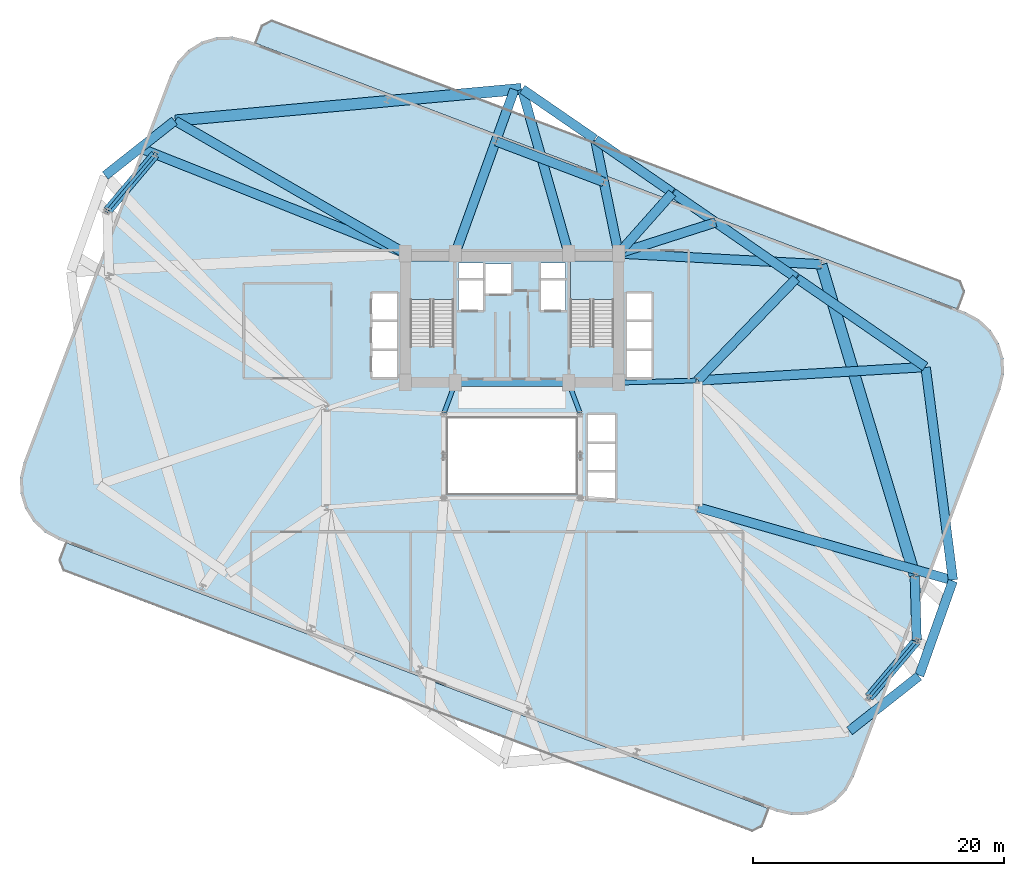
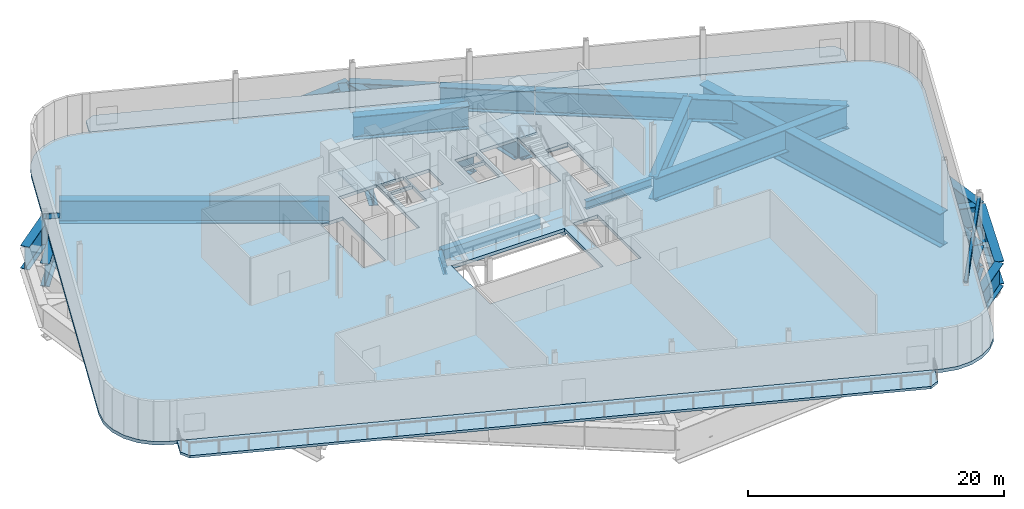
# One storey, part 2 of 11: 29 beams, 5 slabs, 2 members, 2 elements without a shape of their own.
"""IFC4 building model written with IfcOpenShell, lengths in metres."""

from ifc_helpers import new_model, si_unit, direction, frame, origin, origin_2d, place, context, subcontext, project, spatial, polyline, rectangle, hollow_rectangle, i_section, outline, extrude, material, layer, layer_set, material_profile, profile_set, type_object, element, aggregate, save


model = new_model("IFC4")

# Units and contexts
model_context = context("Model", 3, precision=1e-05, world=origin(), true_north=direction((0.0, 1.0)))
body_context = subcontext(model_context, "Body", "Model", "MODEL_VIEW")
ifc_project = project(units=[si_unit("LENGTHUNIT", "METRE"), si_unit("AREAUNIT", "SQUARE_METRE"), si_unit("VOLUMEUNIT", "CUBIC_METRE"), si_unit("PLANEANGLEUNIT", "RADIAN"), si_unit("MASSUNIT", "GRAM", prefix="KILO")], contexts=[model_context])

# Site, building, storey
site_placement = place(None, origin())
site = spatial("IfcSite", under=ifc_project, at=site_placement, CompositionType="ELEMENT")
building_placement = place(site_placement, origin())
building = spatial("IfcBuilding", under=site, at=building_placement, Name="Varnelok Gate Tower", CompositionType="ELEMENT")
storey_placement = place(building_placement, frame((0.0, 0.0, 71.39990234375)))
storey = spatial("IfcBuildingStorey", under=building, at=storey_placement, Name="L17", CompositionType="ELEMENT", Elevation=71.39990234375)

# Beams
ifc_material_1 = material(Name="Concrete C60/75", Category="concrete")
ifc_material_profile_1 = material_profile(ifc_material_1, rectangle(XDim=0.60009765625, YDim=0.949951171875, at=origin_2d()), Name="RC950X600")
ifc_profile_set_1 = profile_set([ifc_material_profile_1], Name="Concrete C60/75")
beam_type_1 = type_object("IfcBeamType", Name="BM-LNT-RC950", PredefinedType="LINTEL", material=ifc_profile_set_1)
beam_1_placement = place(storey_placement, frame((34.800048828125, 28.75, -0.794921875), z_axis=(1.0, 0.0, 0.0), x_axis=(0.0, 1.0, 0.0)))
element("IfcBeam", 1, at=beam_1_placement, inside=storey, type_object=beam_type_1, Name="L17 Core-Atrium Spine Beam 7", PredefinedType="LINTEL", context=body_context, shape_type="SweptSolid", body=[
    extrude(rectangle(XDim=0.60009765625, YDim=0.949951171875, at=origin_2d()), origin(), (0.0, 0.0, 1.0), 8.800048828125),
])
ifc_material_2 = material(Name="Structural Steel ASTM A992 Grade 50", Category="steel")
ifc_material_profile_2 = material_profile(ifc_material_2, i_section(OverallWidth=0.35498046875, OverallDepth=0.696044921875, WebThickness=0.015380859375, FlangeThickness=0.02490234375, FilletRadius=0.02001953125, at=origin_2d()), Name="W27X146")
ifc_profile_set_2 = profile_set([ifc_material_profile_2], Name="Structural Steel ASTM A992 Grade 50")
beam_type_2 = type_object("IfcBeamType", Name="BM-PRI-W27X146", PredefinedType="BEAM", material=ifc_profile_set_2)
for number, where, z_axis, x_axis, name in (
    (2, (33.791748046875, 26.362548828125, -0.66796875), (0.348719329408, 0.937227202602, 0.0), (-0.937227202602, 0.348719329408, 0.0), "L17 Core-Atrium Spine Beam 12"),
    (3, (44.608154296875, 26.362548828125, -0.66796875), (-0.348719329408, 0.937227202602, 0.0), (-0.937227202602, -0.348719329408, 0.0), "L17 Core-Atrium Spine Beam 13"),
):
    element("IfcBeam", number, at=place(storey_placement, frame(where, z_axis=z_axis, x_axis=x_axis)), inside=storey, type_object=beam_type_2, Name=name, PredefinedType="BEAM", context=body_context, shape_type="SweptSolid", body=[
        extrude(i_section(OverallWidth=0.35498046875, OverallDepth=0.696044921875, WebThickness=0.015380859375, FlangeThickness=0.02490234375, FilletRadius=0.02001953125, at=origin_2d()), origin(), (0.0, 0.0, 1.0), 2.42724609375),
    ])
ifc_material_profile_3 = material_profile(ifc_material_2, i_section(OverallWidth=0.381103515625, OverallDepth=0.77294921875, WebThickness=0.0166015625, FlangeThickness=0.027099609375, FilletRadius=0.02197265625, at=origin_2d()), Name="W30X173")
ifc_profile_set_3 = profile_set([ifc_material_profile_3], Name="Structural Steel ASTM A992 Grade 50")
beam_type_3 = type_object("IfcBeamType", Name="BM-PRI-W30X173", PredefinedType="BEAM", material=ifc_profile_set_3)
beam_2_placement = place(storey_placement, frame((47.820068359375, 28.753173828125, -0.706298828125), z_axis=(0.999635880609, 0.026983443053, 0.0), x_axis=(-0.026983443053, 0.999635880609, 0.0)))
element("IfcBeam", 4, at=beam_2_placement, inside=storey, type_object=beam_type_3, Name="L17 Core-Atrium Spine Beam 19", PredefinedType="BEAM", context=body_context, shape_type="SweptSolid", body=[
    extrude(i_section(OverallWidth=0.381103515625, OverallDepth=0.77294921875, WebThickness=0.0166015625, FlangeThickness=0.027099609375, FilletRadius=0.02197265625, at=origin_2d()), origin(), (0.0, 0.0, 1.0), 6.06201171875),
])
ifc_material_3 = material(Name="Structural Steel ASTM A572 Grade 50", Category="steel")
ifc_material_profile_4 = material_profile(ifc_material_3, i_section(OverallWidth=0.75, OverallDepth=2.199951171875, WebThickness=0.031982421875, FlangeThickness=0.06005859375, FilletRadius=0.028076171875, at=origin_2d()), Name="PG2200X750")
ifc_profile_set_4 = profile_set([ifc_material_profile_4], Name="Structural Steel ASTM A572 Grade 50")
beam_type_4 = type_object("IfcBeamType", Name="BM-TR-PG2200", PredefinedType="BEAM", material=ifc_profile_set_4)
beam_3_placement = place(storey_placement, frame((66.1162109375, 0.977294921875, -1.419921875), z_axis=(0.784847238255, 0.619689287146, 0.0), x_axis=(-0.619689287146, 0.784847238255, 0.0)))
element("IfcBeam", 5, at=beam_3_placement, inside=storey, type_object=beam_type_4, Name="L17 Transfer Support Ring Girder 6", PredefinedType="BEAM", context=body_context, shape_type="SweptSolid", body=[
    extrude(i_section(OverallWidth=0.75, OverallDepth=2.199951171875, WebThickness=0.031982421875, FlangeThickness=0.06005859375, FilletRadius=0.028076171875, at=origin_2d()), origin(), (0.0, 0.0, 1.0), 7.036376953125),
])
beam_4_placement = place(storey_placement, frame((71.683349609375, 5.400146484375, -1.419921875), z_axis=(0.333885004732, 0.942613814675, 0.0), x_axis=(-0.942613814675, 0.333885004732, 0.0)))
element("IfcBeam", 6, at=beam_4_placement, inside=storey, type_object=beam_type_4, Name="L17 Transfer Support Ring Girder 7", PredefinedType="BEAM", context=body_context, shape_type="SweptSolid", body=[
    extrude(i_section(OverallWidth=0.75, OverallDepth=2.199951171875, WebThickness=0.031982421875, FlangeThickness=0.06005859375, FilletRadius=0.028076171875, at=origin_2d()), origin(), (0.0, 0.0, 1.0), 7.997314453125),
])
beam_5_placement = place(storey_placement, frame((74.36181640625, 13.015869140625, -1.419921875), z_axis=(-0.127114555731, 0.991888042937, 0.0), x_axis=(-0.991888042937, -0.127114555731, 0.0)))
element("IfcBeam", 7, at=beam_5_placement, inside=storey, type_object=beam_type_4, Name="L17 Transfer Support Ring Girder 8", PredefinedType="BEAM", context=body_context, shape_type="SweptSolid", body=[
    extrude(i_section(OverallWidth=0.75, OverallDepth=2.199951171875, WebThickness=0.031982421875, FlangeThickness=0.06005859375, FilletRadius=0.028076171875, at=origin_2d()), origin(), (0.0, 0.0, 1.0), 17.080322265625),
])
beam_6_placement = place(storey_placement, frame((72.152587890625, 30.02001953125, -1.419921875), z_axis=(-0.823535150293, 0.567265243279, 0.0), x_axis=(-0.567265243279, -0.823535150293, 0.0)))
element("IfcBeam", 8, at=beam_6_placement, inside=storey, type_object=beam_type_4, Name="L17 Transfer Support Ring Girder 9", PredefinedType="BEAM", context=body_context, shape_type="SweptSolid", body=[
    extrude(i_section(OverallWidth=0.75, OverallDepth=2.199951171875, WebThickness=0.031982421875, FlangeThickness=0.06005859375, FilletRadius=0.028076171875, at=origin_2d()), origin(), (0.0, 0.0, 1.0), 12.419921875),
])
beam_7_placement = place(storey_placement, frame((61.8583984375, 37.11083984375, -1.419921875), z_axis=(-0.823531840328, 0.567270048536, 0.0), x_axis=(-0.567270048536, -0.823531840328, 0.0)))
element("IfcBeam", 9, at=beam_7_placement, inside=storey, type_object=beam_type_4, Name="L17 Transfer Support Ring Girder 10", PredefinedType="BEAM", context=body_context, shape_type="SweptSolid", body=[
    extrude(i_section(OverallWidth=0.75, OverallDepth=2.199951171875, WebThickness=0.031982421875, FlangeThickness=0.06005859375, FilletRadius=0.028076171875, at=origin_2d()), origin(), (0.0, 0.0, 1.0), 11.920166015625),
])
beam_8_placement = place(storey_placement, frame((51.97607421875, 43.918212890625, -1.419921875), z_axis=(-0.823552004873, 0.567240773632, 0.0), x_axis=(-0.567240773632, -0.823552004873, 0.0)))
element("IfcBeam", 10, at=beam_8_placement, inside=storey, type_object=beam_type_4, Name="L17 Transfer Support Ring Girder 11", PredefinedType="BEAM", context=body_context, shape_type="SweptSolid", body=[
    extrude(i_section(OverallWidth=0.75, OverallDepth=2.199951171875, WebThickness=0.031982421875, FlangeThickness=0.06005859375, FilletRadius=0.028076171875, at=origin_2d()), origin(), (0.0, 0.0, 1.0), 7.420166015625),
])
beam_9_placement = place(storey_placement, frame((45.799560546875, 48.172607421875, -1.419921875), z_axis=(-0.823538289524, 0.567260685829, 0.0), x_axis=(-0.567260685829, -0.823538289524, 0.0)))
element("IfcBeam", 11, at=beam_9_placement, inside=storey, type_object=beam_type_4, Name="L17 Transfer Support Ring Girder 12", PredefinedType="BEAM", context=body_context, shape_type="SweptSolid", body=[
    extrude(i_section(OverallWidth=0.75, OverallDepth=2.199951171875, WebThickness=0.031982421875, FlangeThickness=0.06005859375, FilletRadius=0.028076171875, at=origin_2d()), origin(), (0.0, 0.0, 1.0), 7.02001953125),
])
beam_10_placement = place(storey_placement, frame((12.28369140625, 49.62255859375, -1.419921875), z_axis=(-0.78483391353, -0.619706162768, 0.0), x_axis=(0.619706162768, -0.78483391353, 0.0)))
element("IfcBeam", 12, at=beam_10_placement, inside=storey, type_object=beam_type_4, Name="L17 Transfer Support Ring Girder 14", PredefinedType="BEAM", context=body_context, shape_type="SweptSolid", body=[
    extrude(i_section(OverallWidth=0.75, OverallDepth=2.199951171875, WebThickness=0.031982421875, FlangeThickness=0.06005859375, FilletRadius=0.028076171875, at=origin_2d()), origin(), (0.0, 0.0, 1.0), 7.0361328125),
])
beam_11_placement = place(storey_placement, frame((54.03857421875, 18.7890625, -1.419921875), z_axis=(0.961465425959, -0.274925871256, 0.0), x_axis=(0.274925871256, 0.961465425959, 0.0)))
element("IfcBeam", 13, at=beam_11_placement, inside=storey, type_object=beam_type_4, Name="L17 Radial Transfer Main Girder 8", PredefinedType="BEAM", context=body_context, shape_type="SweptSolid", body=[
    extrude(i_section(OverallWidth=0.75, OverallDepth=2.199951171875, WebThickness=0.031982421875, FlangeThickness=0.06005859375, FilletRadius=0.028076171875, at=origin_2d()), origin(), (0.0, 0.0, 1.0), 21.10302734375),
])
beam_12_placement = place(storey_placement, frame((54.039794921875, 28.92236328125, -1.419921875), z_axis=(0.998250152636, 0.059132332635, 0.0), x_axis=(-0.059132332635, 0.998250152636, 0.0)))
element("IfcBeam", 14, at=beam_12_placement, inside=storey, type_object=beam_type_4, Name="L17 Radial Transfer Main Girder 9", PredefinedType="BEAM", context=body_context, shape_type="SweptSolid", body=[
    extrude(i_section(OverallWidth=0.75, OverallDepth=2.199951171875, WebThickness=0.031982421875, FlangeThickness=0.06005859375, FilletRadius=0.028076171875, at=origin_2d()), origin(), (0.0, 0.0, 1.0), 18.137451171875),
])
beam_13_placement = place(storey_placement, frame((54.02783203125, 28.94873046875, -1.419921875), z_axis=(0.694813539229, 0.71918992325, 0.0), x_axis=(-0.71918992325, 0.694813539229, 0.0)))
element("IfcBeam", 15, at=beam_13_placement, inside=storey, type_object=beam_type_4, Name="L17 Radial Transfer Main Girder 10", PredefinedType="BEAM", context=body_context, shape_type="SweptSolid", body=[
    extrude(i_section(OverallWidth=0.75, OverallDepth=2.199951171875, WebThickness=0.031982421875, FlangeThickness=0.06005859375, FilletRadius=0.028076171875, at=origin_2d()), origin(), (0.0, 0.0, 1.0), 11.27734375),
])
beam_14_placement = place(storey_placement, frame((47.7265625, 39.079833984375, -1.419921875), z_axis=(0.664534185291, 0.74725786485, 0.0), x_axis=(-0.74725786485, 0.664534185291, 0.0)))
element("IfcBeam", 16, at=beam_14_placement, inside=storey, type_object=beam_type_4, Name="L17 Radial Transfer Main Girder 11", PredefinedType="BEAM", context=body_context, shape_type="SweptSolid", body=[
    extrude(i_section(OverallWidth=0.75, OverallDepth=2.199951171875, WebThickness=0.031982421875, FlangeThickness=0.06005859375, FilletRadius=0.028076171875, at=origin_2d()), origin(), (0.0, 0.0, 1.0), 6.404296875),
])
beam_15_placement = place(storey_placement, frame((47.69189453125, 39.089111328125, -1.419921875), z_axis=(-0.201048508296, 0.97958128673, 0.0), x_axis=(-0.97958128673, -0.201048508296, 0.0)))
element("IfcBeam", 17, at=beam_15_placement, inside=storey, type_object=beam_type_4, Name="L17 Radial Transfer Main Girder 12", PredefinedType="BEAM", context=body_context, shape_type="SweptSolid", body=[
    extrude(i_section(OverallWidth=0.75, OverallDepth=2.199951171875, WebThickness=0.031982421875, FlangeThickness=0.06005859375, FilletRadius=0.028076171875, at=origin_2d()), origin(), (0.0, 0.0, 1.0), 9.20947265625),
])
beam_16_placement = place(storey_placement, frame((43.708984375, 39.08837890625, -1.419921875), z_axis=(-0.273625390136, 0.961836340483, 0.0), x_axis=(-0.961836340483, -0.273625390136, 0.0)))
element("IfcBeam", 18, at=beam_16_placement, inside=storey, type_object=beam_type_4, Name="L17 Radial Transfer Main Girder 13", PredefinedType="BEAM", context=body_context, shape_type="SweptSolid", body=[
    extrude(i_section(OverallWidth=0.75, OverallDepth=2.199951171875, WebThickness=0.031982421875, FlangeThickness=0.06005859375, FilletRadius=0.028076171875, at=origin_2d()), origin(), (0.0, 0.0, 1.0), 13.568359375),
])
beam_17_placement = place(storey_placement, frame((30.665283203125, 39.070068359375, -1.419921875), z_axis=(-0.866374326175, 0.499395161114, 0.0), x_axis=(-0.499395161114, -0.866374326175, 0.0)))
element("IfcBeam", 19, at=beam_17_placement, inside=storey, type_object=beam_type_4, Name="L17 Radial Transfer Main Girder 14", PredefinedType="BEAM", context=body_context, shape_type="SweptSolid", body=[
    extrude(i_section(OverallWidth=0.75, OverallDepth=2.199951171875, WebThickness=0.031982421875, FlangeThickness=0.06005859375, FilletRadius=0.028076171875, at=origin_2d()), origin(), (0.0, 0.0, 1.0), 21.140380859375),
])
beam_18_placement = place(storey_placement, frame((47.7998046875, 39.044677734375, -1.419921875), z_axis=(0.99856636505, -0.053527699279, 0.0), x_axis=(0.053527699279, 0.99856636505, 0.0)))
element("IfcBeam", 20, at=beam_18_placement, inside=storey, type_object=beam_type_4, Name="L17 Column Transfer Carrier Girder 9", PredefinedType="BEAM", context=body_context, shape_type="SweptSolid", body=[
    extrude(i_section(OverallWidth=0.75, OverallDepth=2.199951171875, WebThickness=0.031982421875, FlangeThickness=0.06005859375, FilletRadius=0.028076171875, at=origin_2d()), origin(), (0.0, 0.0, 1.0), 16.08203125),
])
beam_19_placement = place(storey_placement, frame((47.795166015625, 39.08056640625, -1.419921875), z_axis=(0.952199293423, 0.305477504253, 0.0), x_axis=(-0.305477504253, 0.952199293423, 0.0)))
element("IfcBeam", 21, at=beam_19_placement, inside=storey, type_object=beam_type_4, Name="L17 Column Transfer Carrier Girder 10", PredefinedType="BEAM", context=body_context, shape_type="SweptSolid", body=[
    extrude(i_section(OverallWidth=0.75, OverallDepth=2.199951171875, WebThickness=0.031982421875, FlangeThickness=0.06005859375, FilletRadius=0.028076171875, at=origin_2d()), origin(), (0.0, 0.0, 1.0), 8.02734375),
])
beam_20_placement = place(storey_placement, frame((34.7138671875, 39.14404296875, -1.419921875), z_axis=(0.338845431703, 0.940842055509, 0.0), x_axis=(-0.940842055509, 0.338845431703, 0.0)))
element("IfcBeam", 22, at=beam_20_placement, inside=storey, type_object=beam_type_4, Name="L17 Column Transfer Carrier Girder 12", PredefinedType="BEAM", context=body_context, shape_type="SweptSolid", body=[
    extrude(i_section(OverallWidth=0.75, OverallDepth=2.199951171875, WebThickness=0.031982421875, FlangeThickness=0.06005859375, FilletRadius=0.028076171875, at=origin_2d()), origin(), (0.0, 0.0, 1.0), 13.794921875),
])
beam_21_placement = place(storey_placement, frame((30.607177734375, 39.0869140625, -1.419921875), z_axis=(-0.92931441749, 0.369289471072, 0.0), x_axis=(-0.369289471072, -0.92931441749, 0.0)))
element("IfcBeam", 23, at=beam_21_placement, inside=storey, type_object=beam_type_4, Name="L17 Column Transfer Carrier Girder 14", PredefinedType="BEAM", context=body_context, shape_type="SweptSolid", body=[
    extrude(i_section(OverallWidth=0.75, OverallDepth=2.199951171875, WebThickness=0.031982421875, FlangeThickness=0.06005859375, FilletRadius=0.028076171875, at=origin_2d()), origin(), (0.0, 0.0, 1.0), 22.66748046875),
])
beam_22_placement = place(storey_placement, frame((67.66259765625, 3.658203125, -1.419921875), z_axis=(0.645349138464, 0.763887746651, 0.0), x_axis=(-0.763887746651, 0.645349138464, 0.0)))
element("IfcBeam", 24, at=beam_22_placement, inside=storey, type_object=beam_type_4, Name="L17 Upper Perimeter Transfer Ring 6", PredefinedType="BEAM", context=body_context, shape_type="SweptSolid", body=[
    extrude(i_section(OverallWidth=0.75, OverallDepth=2.199951171875, WebThickness=0.031982421875, FlangeThickness=0.06005859375, FilletRadius=0.028076171875, at=origin_2d()), origin(), (0.0, 0.0, 1.0), 5.869873046875),
])
beam_23_placement = place(storey_placement, frame((71.475341796875, 8.212646484375, -1.419921875), z_axis=(-0.030376021741, 0.99953854218, 0.0), x_axis=(-0.99953854218, -0.030376021741, 0.0)))
element("IfcBeam", 25, at=beam_23_placement, inside=storey, type_object=beam_type_4, Name="L17 Upper Perimeter Transfer Ring 7", PredefinedType="BEAM", context=body_context, shape_type="SweptSolid", body=[
    extrude(i_section(OverallWidth=0.75, OverallDepth=2.199951171875, WebThickness=0.031982421875, FlangeThickness=0.06005859375, FilletRadius=0.028076171875, at=origin_2d()), origin(), (0.0, 0.0, 1.0), 5.103759765625),
])
beam_24_placement = place(storey_placement, frame((46.52001953125, 44.748046875, -1.419921875), z_axis=(-0.935218362021, 0.354071483375, 0.0), x_axis=(-0.354071483375, -0.935218362021, 0.0)))
element("IfcBeam", 26, at=beam_24_placement, inside=storey, type_object=beam_type_4, Name="L17 Upper Perimeter Transfer Ring 11", PredefinedType="BEAM", context=body_context, shape_type="SweptSolid", body=[
    extrude(i_section(OverallWidth=0.75, OverallDepth=2.199951171875, WebThickness=0.031982421875, FlangeThickness=0.06005859375, FilletRadius=0.028076171875, at=origin_2d()), origin(), (0.0, 0.0, 1.0), 9.169921875),
])
beam_25_placement = place(storey_placement, frame((10.737548828125, 46.941650390625, -1.419921875), z_axis=(-0.645393911846, -0.763849918866, 0.0), x_axis=(0.763849918866, -0.645393911846, 0.0)))
element("IfcBeam", 27, at=beam_25_placement, inside=storey, type_object=beam_type_4, Name="L17 Upper Perimeter Transfer Ring 14", PredefinedType="BEAM", context=body_context, shape_type="SweptSolid", body=[
    extrude(i_section(OverallWidth=0.75, OverallDepth=2.199951171875, WebThickness=0.031982421875, FlangeThickness=0.06005859375, FilletRadius=0.028076171875, at=origin_2d()), origin(), (0.0, 0.0, 1.0), 5.869873046875),
])
ifc_material_profile_5 = material_profile(ifc_material_3, i_section(OverallWidth=0.89990234375, OverallDepth=3.199951171875, WebThickness=0.0400390625, FlangeThickness=0.074951171875, FilletRadius=0.030029296875, at=origin_2d()), Name="PG3200X900")
ifc_profile_set_5 = profile_set([ifc_material_profile_5], Name="Structural Steel ASTM A572 Grade 50")
beam_type_5 = type_object("IfcBeamType", Name="BM-TR-PG3200", PredefinedType="BEAM", material=ifc_profile_set_5)
beam_26_placement = place(storey_placement, frame((39.945556640625, 52.173828125, -1.919921875), z_axis=(-0.995845179363, -0.09106249908, 0.0), x_axis=(0.09106249908, -0.995845179363, 0.0)))
element("IfcBeam", 28, at=beam_26_placement, inside=storey, type_object=beam_type_5, Name="L17 Transfer Support Ring Girder 13", PredefinedType="BEAM", context=body_context, shape_type="SweptSolid", body=[
    extrude(i_section(OverallWidth=0.89990234375, OverallDepth=3.199951171875, WebThickness=0.0400390625, FlangeThickness=0.074951171875, FilletRadius=0.030029296875, at=origin_2d()), origin(), (0.0, 0.0, 1.0), 27.70556640625),
])
beam_27_placement = place(storey_placement, frame((71.3076171875, 13.392333984375, -1.919921875), z_axis=(-0.287740428783, 0.957708434569, 0.0), x_axis=(-0.957708434569, -0.287740428783, 0.0)))
element("IfcBeam", 29, at=beam_27_placement, inside=storey, type_object=beam_type_5, Name="L17 Upper Perimeter Transfer Ring 8", PredefinedType="BEAM", context=body_context, shape_type="SweptSolid", body=[
    extrude(i_section(OverallWidth=0.89990234375, OverallDepth=3.199951171875, WebThickness=0.0400390625, FlangeThickness=0.074951171875, FilletRadius=0.030029296875, at=origin_2d()), origin(), (0.0, 0.0, 1.0), 25.84619140625),
])

# Members
ifc_material_4 = material(Name="Structural Steel ASTM A500 Grade C", Category="steel")
ifc_material_profile_6 = material_profile(ifc_material_4, hollow_rectangle(XDim=0.25, YDim=0.39990234375, WallThickness=0.01611328125, at=origin_2d()), Name="HSS400X250X16")
ifc_profile_set_6 = profile_set([ifc_material_profile_6], Name="Structural Steel ASTM A500 Grade C")
member_type = type_object("IfcMemberType", Name="MEM-BLT-BRACE1", PredefinedType="BRACE", material=ifc_profile_set_6)
for number, where, z_axis, x_axis, name in (
    (30, (67.63671875, 3.627685546875, 0.2001953125), (0.535585700003, 0.633930785304, 0.557924472842), (-0.763871674835, 0.645368161893, 0.0), "L17 Belt Truss Diagonal Brace 1"),
    (31, (10.76318359375, 46.972412109375, 0.2001953125), (-0.535585700003, -0.633930785304, 0.557924472842), (0.763871674835, -0.645368161893, 0.0), "L17 Belt Truss Diagonal Brace 2"),
):
    element("IfcMember", number, at=place(storey_placement, frame(where, z_axis=z_axis, x_axis=x_axis)), inside=storey, type_object=member_type, Name=name, PredefinedType="BRACE", context=body_context, shape_type="SweptSolid", body=[
        extrude(hollow_rectangle(XDim=0.25, YDim=0.39990234375, WallThickness=0.01611328125, at=origin_2d()), origin(), (0.0, 0.0, 1.0), 7.16943359375),
    ])

# Stair, slab
ifc_material_5 = material(Name="Concrete C50/60", Category="concrete")
stair_type = type_object("IfcStairType", Name="STR-CORE-1650", PredefinedType="HALF_TURN_STAIR", material=ifc_material_5)
stair_1_placement = place(storey_placement, origin())
stair_1 = element("IfcStair", 32, at=stair_1_placement, inside=storey, type_object=stair_type, Name="L17 Exit Stair ST-1", PredefinedType="HALF_TURN_STAIR")
ifc_material_6 = material(Name="Concrete C45/55", Category="concrete")
ifc_layer_1 = layer(ifc_material_6, 0.199951171875)
ifc_layer_set_1 = layer_set([ifc_layer_1], Name="Concrete C45/55")
slab_type_1 = type_object("IfcSlabType", Name="SLB-LAND-200", PredefinedType="LANDING", material=ifc_layer_set_1)
slab_1_placement = place(storey_placement, frame((0.0, 0.0, 2.2001953125)))
slab_1 = element("IfcSlab", 33, at=slab_1_placement, type_object=slab_type_1, Name="ST-1 landing 1", PredefinedType="LANDING", context=body_context, shape_type="SweptSolid", body=[
    extrude(outline(polyline([(34.550048828125, 35.3701171875), (34.550048828125, 38.449951171875), (31.10009765625, 38.449951171875), (31.10009765625, 35.3701171875), (34.550048828125, 35.3701171875)])), origin(), (0.0, 0.0, 1.0), 0.199951171875),
])
aggregate(stair_1, [slab_1])

stair_2_placement = place(storey_placement, origin())
stair_2 = element("IfcStair", 34, at=stair_2_placement, inside=storey, type_object=stair_type, Name="L17 Exit Stair ST-2", PredefinedType="HALF_TURN_STAIR")
slab_2_placement = place(storey_placement, frame((0.0, 0.0, 2.2001953125)))
slab_2 = element("IfcSlab", 35, at=slab_2_placement, type_object=slab_type_1, Name="ST-2 landing 1", PredefinedType="LANDING", context=body_context, shape_type="SweptSolid", body=[
    extrude(outline(polyline([(47.300048828125, 35.3701171875), (47.300048828125, 38.449951171875), (43.85009765625, 38.449951171875), (43.85009765625, 35.3701171875), (47.300048828125, 35.3701171875)])), origin(), (0.0, 0.0, 1.0), 0.199951171875),
])
aggregate(stair_2, [slab_2])

# Slabs
ifc_layer_2 = layer(ifc_material_6, 0.22998046875)
ifc_layer_set_2 = layer_set([ifc_layer_2], Name="Concrete C45/55")
slab_type_2 = type_object("IfcSlabType", Name="SLB-SKYG-230", PredefinedType="FLOOR", material=ifc_layer_set_2)
slab_3_placement = place(storey_placement, frame((0.0, 0.0, -0.22998046875)))
element("IfcSlab", 36, at=slab_3_placement, inside=storey, type_object=slab_type_2, Name="L17 South Planted Sky Garden Terrace", PredefinedType="FLOOR", context=body_context, shape_type="SweptSolid", body=[
    extrude(outline(polyline([(3.052978515625, 14.552001953125), (3.430908203125, 13.714111328125), (58.328369140625, -7.0693359375), (59.166259765625, -6.691650390625), (59.715087890625, -5.2421875), (3.601806640625, 16.001708984375), (3.052978515625, 14.552001953125)])), origin(), (0.0, 0.0, 1.0), 0.22998046875),
])
slab_4_placement = place(storey_placement, frame((0.0, 0.0, -0.22998046875)))
element("IfcSlab", 37, at=slab_4_placement, inside=storey, type_object=slab_type_2, Name="L17 North Planted Sky Garden Terrace", PredefinedType="FLOOR", context=body_context, shape_type="SweptSolid", body=[
    extrude(outline(polyline([(18.684814453125, 55.842041015625), (74.798095703125, 34.598388671875), (75.346923828125, 36.0478515625), (74.96923828125, 36.885986328125), (20.07177734375, 57.66943359375), (19.233642578125, 57.291748046875), (18.684814453125, 55.842041015625)])), origin(), (0.0, 0.0, 1.0), 0.22998046875),
])
ifc_layer_3 = layer(ifc_material_1, 0.320068359375)
ifc_layer_set_3 = layer_set([ifc_layer_3], Name="Concrete C60/75")
slab_type_3 = type_object("IfcSlabType", Name="SLB-TRN-320", PredefinedType="FLOOR", material=ifc_layer_set_3)
slab_5_placement = place(storey_placement, frame((0.0, 0.0, -0.31982421875)))
element("IfcSlab", 38, at=slab_5_placement, inside=storey, type_object=slab_type_3, Name="L17 Structural Floor Slab", PredefinedType="FLOOR", context=body_context, shape_type="SweptSolid", body=[
    extrude(outline(polyline([(0.251220703125, 22.402587890625), (-0.03564453125, 21.182861328125), (0.002685546875, 19.930419921875), (0.3642578125, 18.730712890625), (1.023681640625, 17.665283203125), (1.936767578125, 16.806884765625), (3.040771484375, 16.214111328125), (60.2763671875, -5.45458984375), (61.49609375, -5.741455078125), (62.74853515625, -5.702880859375), (63.9482421875, -5.34130859375), (65.013671875, -4.681884765625), (65.8720703125, -3.768798828125), (66.46484375, -2.6650390625), (78.14892578125, 28.197265625), (78.435791015625, 29.4169921875), (78.397216796875, 30.669677734375), (78.035888671875, 31.869384765625), (77.376220703125, 32.934814453125), (76.463134765625, 33.793212890625), (75.359375, 34.385986328125), (18.123779296875, 56.054443359375), (16.904052734375, 56.34130859375), (15.651611328125, 56.302734375), (14.45166015625, 55.94140625), (13.386474609375, 55.28173828125), (12.528076171875, 54.368896484375), (11.935302734375, 53.264892578125), (0.251220703125, 22.402587890625)]), holes=[polyline([(34.550048828125, 31.679931640625), (34.550048828125, 38.449951171875), (31.10009765625, 38.449951171875), (31.10009765625, 31.679931640625), (34.550048828125, 31.679931640625)]), polyline([(47.300048828125, 31.679931640625), (47.300048828125, 38.449951171875), (43.85009765625, 38.449951171875), (43.85009765625, 31.679931640625), (47.300048828125, 31.679931640625)]), polyline([(34.949951171875, 34.550048828125), (36.89990234375, 34.550048828125), (36.89990234375, 36.89990234375), (34.949951171875, 36.89990234375), (34.949951171875, 34.550048828125)]), polyline([(41.5, 34.550048828125), (43.449951171875, 34.550048828125), (43.449951171875, 36.89990234375), (41.5, 36.89990234375), (41.5, 34.550048828125)]), polyline([(37.050048828125, 35.85009765625), (39.14990234375, 35.85009765625), (39.14990234375, 38.199951171875), (37.050048828125, 38.199951171875), (37.050048828125, 35.85009765625)]), polyline([(28.050048828125, 29.14990234375), (30.050048828125, 29.14990234375), (30.050048828125, 35.89990234375), (28.050048828125, 35.89990234375), (28.050048828125, 29.14990234375)]), polyline([(48.35009765625, 29.14990234375), (50.35009765625, 29.14990234375), (50.35009765625, 35.89990234375), (48.35009765625, 35.89990234375), (48.35009765625, 29.14990234375)]), polyline([(45.25, 19.449951171875), (47.449951171875, 19.449951171875), (47.449951171875, 26.199951171875), (45.25, 26.199951171875), (45.25, 19.449951171875)]), polyline([(34.919921875, 37.080078125), (36.89990234375, 37.080078125), (36.89990234375, 38.280029296875), (34.919921875, 38.280029296875), (34.919921875, 37.080078125)]), polyline([(41.5, 37.080078125), (43.47998046875, 37.080078125), (43.47998046875, 38.280029296875), (41.5, 38.280029296875), (41.5, 37.080078125)]), polyline([(34.10009765625, 19.89990234375), (44.300048828125, 19.89990234375), (44.300048828125, 25.89990234375), (34.10009765625, 25.89990234375), (34.10009765625, 19.89990234375)])]), origin(), (0.0, 0.0, 1.0), 0.31982421875),
])

save(model, "model.ifc")
